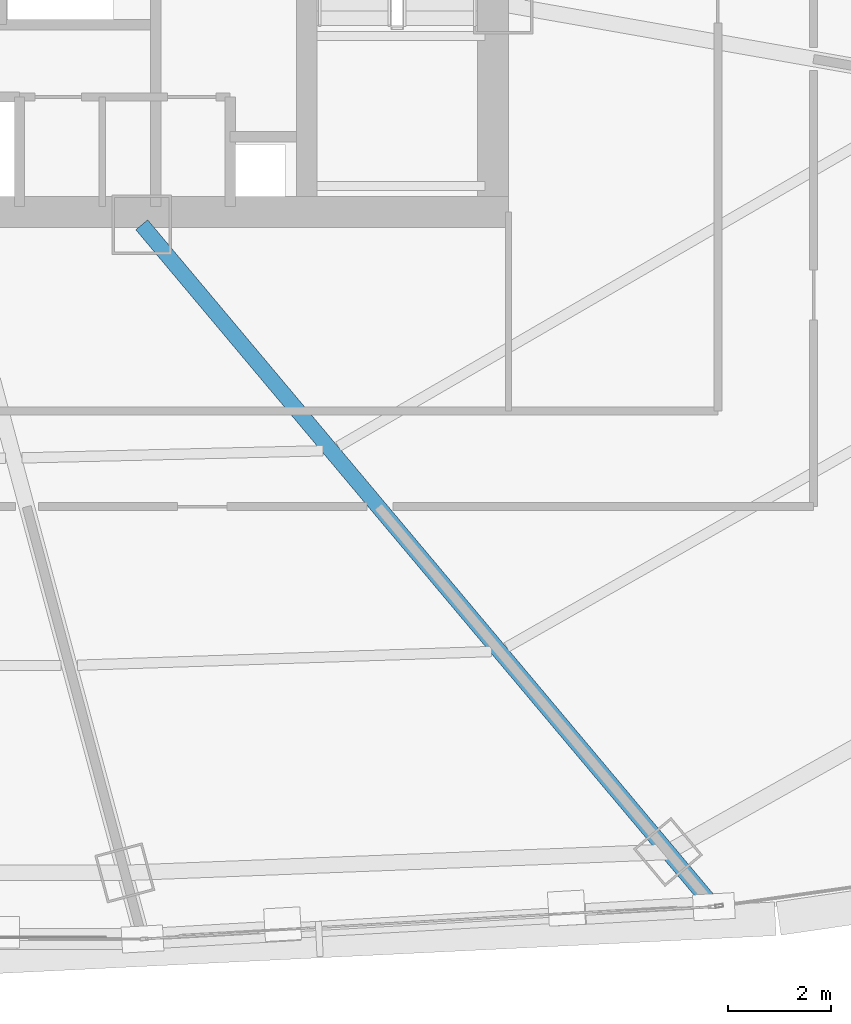
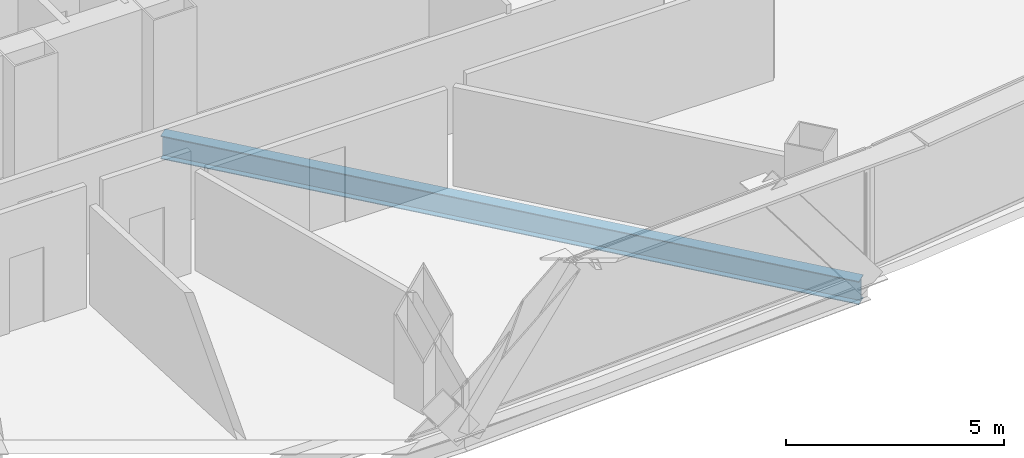
# One storey, part 15 of 40: 1 beam.
"""IFC4 building model written with IfcOpenShell, lengths in metres."""

import ifcopenshell
import ifcopenshell.guid

model = None  # the IFC model being written
_history = None  # IfcOwnerHistory: only IFC2X3 demands one
_inside = {}  # id of a spatial element -> (the spatial element, [elements in it])
_under = {}  # id of a project, library or spatial element -> (it, [spatial elements below it])
_declared = {}  # id of a project -> (the project, [libraries it declares])
_typed = {}  # id of a type object -> (the type object, [elements of that type])
_made_of = {}  # id of a material, layer set ... -> (it, [elements and type objects made of it])


def new_model(schema):
    """Start an empty IFC model of exactly this schema.

    Asked for "IFC4X3", IfcOpenShell would pick the latest addendum, in which some entities
    have other attributes; the version numbers below select the first issue.
    IFC2X3 requires an IfcOwnerHistory on every rooted entity: one is made here for all.
    """
    global model, _history
    if schema == "IFC4X3":
        model = ifcopenshell.file(schema_version=(4, 3, 0, 0))
    else:
        model = ifcopenshell.file(schema=schema)
    _inside.clear()
    _under.clear()
    _declared.clear()
    _typed.clear()
    _made_of.clear()
    _history = None
    if model.schema == "IFC2X3":
        org = make("IfcOrganization", Name="unknown")
        user = make(
            "IfcPersonAndOrganization",
            ThePerson=make("IfcPerson", FamilyName="unknown"),
            TheOrganization=org,
        )
        app = make(
            "IfcApplication",
            ApplicationDeveloper=org,
            Version="unknown",
            ApplicationFullName="unknown",
            ApplicationIdentifier="unknown",
        )
        _history = make(
            "IfcOwnerHistory",
            OwningUser=user,
            OwningApplication=app,
            ChangeAction="ADDED",
            CreationDate=0,
        )
    return model


def make(cls, **values):
    """One entity of the class cls with the attributes given. An attribute that is None is left unset."""
    return model.create_entity(
        cls, **{name: value for name, value in values.items() if value is not None}
    )


def rooted(cls, **values):
    """An entity with a GlobalId (a new one), such as an element, a storey or a relation."""
    return make(cls, GlobalId=ifcopenshell.guid.new(), OwnerHistory=_history, **values)


def si_unit(unit_type, name, prefix=None):
    """IfcSIUnit, for example si_unit("LENGTHUNIT", "METRE", prefix="MILLI")."""
    return make("IfcSIUnit", UnitType=unit_type, Prefix=prefix, Name=name)


def assignment(units):
    """IfcUnitAssignment: the units of a project."""
    return None if units is None else make("IfcUnitAssignment", Units=units)


def point(xyz):
    """IfcCartesianPoint."""
    return None if xyz is None else make("IfcCartesianPoint", Coordinates=xyz)


def direction(xyz):
    """IfcDirection."""
    return None if xyz is None else make("IfcDirection", DirectionRatios=xyz)


def frame(location, z_axis=None, x_axis=None):
    """IfcAxis2Placement3D, a coordinate frame: its origin and axes. An axis left out is left unset."""
    return make(
        "IfcAxis2Placement3D",
        Location=point(location),
        Axis=direction(z_axis),
        RefDirection=direction(x_axis),
    )


def frame_2d(location, x_axis=None):
    """IfcAxis2Placement2D, a coordinate frame in the plane: its origin and x axis."""
    return make(
        "IfcAxis2Placement2D", Location=point(location), RefDirection=direction(x_axis)
    )


def origin():
    """The frame at (0, 0, 0) with its axes left unset."""
    return frame((0.0, 0.0, 0.0))


def origin_2d():
    """The frame at (0, 0) in the plane with its x axis left unset."""
    return frame_2d((0.0, 0.0))


def place(relative_to, where):
    """IfcLocalPlacement: puts the frame where relative to a parent placement (None: the world)."""
    return make(
        "IfcLocalPlacement", PlacementRelTo=relative_to, RelativePlacement=where
    )


def context(
    kind, dimensions, precision=None, world=None, true_north=None, identifier=None
):
    """IfcGeometricRepresentationContext, for example the 3D "Model" context."""
    return make(
        "IfcGeometricRepresentationContext",
        ContextIdentifier=identifier,
        ContextType=kind,
        CoordinateSpaceDimension=dimensions,
        Precision=precision,
        WorldCoordinateSystem=world,
        TrueNorth=true_north,
    )


def subcontext(parent, identifier, kind, view, scale=None):
    """IfcGeometricRepresentationSubContext, for example "Body" below "Model"."""
    return make(
        "IfcGeometricRepresentationSubContext",
        ContextIdentifier=identifier,
        ContextType=kind,
        ParentContext=parent,
        TargetScale=scale,
        TargetView=view,
    )


def project(units=None, contexts=None):
    """IfcProject with its units and contexts."""
    return rooted(
        "IfcProject",
        Name="project",
        RepresentationContexts=contexts,
        UnitsInContext=assignment(units),
    )


def spatial(cls, under=None, at=None, **own):
    """A site, building, storey or space (cls), placed at a placement, below another one or the project."""
    s = rooted(cls, ObjectPlacement=at, **own)
    if under is not None:
        _under.setdefault(under.id(), (under, []))[1].append(s)
    return s


def profile(cls, at=None, kind="AREA", **sizes):
    """A parametric profile (cls). Its sizes go by their IFC names, for example OverallWidth=200.0."""
    return make(cls, ProfileType=kind, Position=at, **sizes)


def i_section(**sizes):
    """IfcIShapeProfileDef."""
    return profile("IfcIShapeProfileDef", **sizes)


def extrude(swept, where, along, depth):
    """IfcExtrudedAreaSolid: the profile swept, set in the frame where, extruded along a direction by depth."""
    return make(
        "IfcExtrudedAreaSolid",
        SweptArea=swept,
        Position=where,
        ExtrudedDirection=direction(along),
        Depth=depth,
    )


def shape(context_of_items, identifier, shape_type, items):
    """IfcShapeRepresentation: the items that make up one representation, for example the "Body"."""
    return make(
        "IfcShapeRepresentation",
        ContextOfItems=context_of_items,
        RepresentationIdentifier=identifier,
        RepresentationType=shape_type,
        Items=items,
    )


def source(mapping_origin, context_of_items, identifier, shape_type, items):
    """IfcRepresentationMap: a shape defined once, which mapped items show again and again."""
    return make(
        "IfcRepresentationMap",
        MappingOrigin=mapping_origin,
        MappedRepresentation=shape(context_of_items, identifier, shape_type, items),
    )


def transform(
    local_origin,
    x_axis=None,
    y_axis=None,
    z_axis=None,
    scale=None,
    scale2=None,
    scale3=None,
    uniform=True,
):
    """IfcCartesianTransformationOperator3D, or its non-uniform kind. x_axis, y_axis, z_axis: its Axis1, 2, 3."""
    if uniform:
        return make(
            "IfcCartesianTransformationOperator3D",
            Axis1=direction(x_axis),
            Axis2=direction(y_axis),
            LocalOrigin=point(local_origin),
            Scale=scale,
            Axis3=direction(z_axis),
        )
    return make(
        "IfcCartesianTransformationOperator3DnonUniform",
        Axis1=direction(x_axis),
        Axis2=direction(y_axis),
        LocalOrigin=point(local_origin),
        Scale=scale,
        Axis3=direction(z_axis),
        Scale2=scale2,
        Scale3=scale3,
    )


def mapped(mapping_source, mapping_target):
    """IfcMappedItem: shows the shape of a source again, moved by a transform."""
    return make(
        "IfcMappedItem", MappingSource=mapping_source, MappingTarget=mapping_target
    )


def material(Name=None, Category=None):
    """IfcMaterial."""
    return make("IfcMaterial", Name=Name, Category=Category)


def material_profile(
    of_material, cross_section, Name=None, Category=None, Priority=None
):
    """IfcMaterialProfile: a cross section and its material."""
    return make(
        "IfcMaterialProfile",
        Name=Name,
        Material=of_material,
        Profile=cross_section,
        Priority=Priority,
        Category=Category,
    )


def profile_set(profiles, Name=None, composite=None):
    """IfcMaterialProfileSet."""
    return make(
        "IfcMaterialProfileSet",
        Name=Name,
        MaterialProfiles=profiles,
        CompositeProfile=composite,
    )


def made_of(thing, what):
    """Note that an element or type object is made of a material, layer set ...; save() writes the relation."""
    if what is not None:
        _made_of.setdefault(what.id(), (what, []))[1].append(thing)
    return thing


def type_object(cls, material=None, **own):
    """A type object (cls), such as IfcWallType, which elements share."""
    return made_of(rooted(cls, **own), material)


def element(
    cls,
    number,
    at=None,
    inside=None,
    cuts=None,
    type_object=None,
    material=None,
    context=None,
    identifier="Body",
    shape_type=None,
    held_by="IfcProductDefinitionShape",
    body=None,
    shapes=None,
    **own,
):
    """One element of the class cls, such as IfcWall. Its Tag is "e" and its number.

    at: its placement. inside: the storey or other place that contains it. cuts: it is an
    opening in that element (IfcRelVoidsElement). A single representation is given by context,
    identifier, shape_type and body (its items); several are given by shapes. held_by: the class
    of the entity that holds the representations. save() writes the other relations.
    """
    e = rooted(cls, Tag="e%d" % number, ObjectPlacement=at, **own)
    if body is not None:
        shapes = [shape(context, identifier, shape_type, body)]
    if shapes is not None:
        e.Representation = make(held_by, Representations=shapes)
    if inside is not None:
        _inside.setdefault(inside.id(), (inside, []))[1].append(e)
    if cuts is not None:
        rooted(
            "IfcRelVoidsElement", RelatingBuildingElement=cuts, RelatedOpeningElement=e
        )
    if type_object is not None:
        _typed.setdefault(type_object.id(), (type_object, []))[1].append(e)
    return made_of(e, material)


def aggregate(whole, parts):
    """IfcRelAggregates: a whole, such as a stair, and the parts it consists of."""
    return rooted("IfcRelAggregates", RelatingObject=whole, RelatedObjects=parts)


def save(model, path):
    """Write the relations noted so far, then the file.

    IfcRelAggregates (storeys below a building ...), IfcRelContainedInSpatialStructure (elements
    in a storey), IfcRelDefinesByType, IfcRelAssociatesMaterial and IfcRelDeclares: one each for
    every whole, place, type object, material and project.
    """
    for whole, parts in _under.values():
        aggregate(whole, parts)
    for where, things in _inside.values():
        rooted(
            "IfcRelContainedInSpatialStructure",
            RelatedElements=things,
            RelatingStructure=where,
        )
    for kind, things in _typed.values():
        rooted("IfcRelDefinesByType", RelatedObjects=things, RelatingType=kind)
    for what, things in _made_of.values():
        rooted("IfcRelAssociatesMaterial", RelatedObjects=things, RelatingMaterial=what)
    for by, libraries in _declared.values():
        rooted("IfcRelDeclares", RelatingContext=by, RelatedDefinitions=libraries)
    model.write(path)


model = new_model("IFC4")

# Units and contexts
model_context = context("Model", 3, precision=1e-05, world=origin(), true_north=direction((0.0, 1.0)))
body_context = subcontext(model_context, "Body", "Model", "MODEL_VIEW")
ifc_project = project(units=[si_unit("LENGTHUNIT", "METRE"), si_unit("AREAUNIT", "SQUARE_METRE"), si_unit("VOLUMEUNIT", "CUBIC_METRE"), si_unit("PLANEANGLEUNIT", "RADIAN"), si_unit("MASSUNIT", "GRAM", prefix="KILO"), si_unit("THERMODYNAMICTEMPERATUREUNIT", "KELVIN"), si_unit("POWERUNIT", "WATT")], contexts=[model_context])

# Site, building, storey
site_placement = place(None, origin())
site = spatial("IfcSite", under=ifc_project, at=site_placement, CompositionType="ELEMENT")
building_placement = place(site_placement, origin())
building = spatial("IfcBuilding", under=site, at=building_placement, Name="Yunzhuo Pagoda Commons", CompositionType="ELEMENT")
storey_placement = place(building_placement, frame((0.0, 0.0, 159.27001953125)))
storey = spatial("IfcBuildingStorey", under=building, at=storey_placement, Name="L40", CompositionType="ELEMENT", Elevation=159.27001953125)

# Beam
ifc_material = material(Name="Structural steel Q355B", Category="steel")
ifc_material_profile = material_profile(ifc_material, i_section(OverallWidth=0.300048828125, OverallDepth=0.64990234375, WebThickness=0.012939453125, FlangeThickness=0.02197265625, at=origin_2d()), Name="Structural steel Q355B")
ifc_profile_set = profile_set([ifc_material_profile], Name="Structural steel Q355B")
beam_type = type_object("IfcBeamType", Name="B-RG2 Beam HN 650x300x13x22", PredefinedType="BEAM", material=ifc_profile_set)
shared_shape = source(origin(), body_context, "Body", "SweptSolid", [
    extrude(i_section(OverallWidth=0.300048828125, OverallDepth=0.64990234375, WebThickness=0.012939453125, FlangeThickness=0.02197265625, at=origin_2d()), origin(), (0.0, 0.0, 1.0), 17.05224609375),
])
beam_placement = place(storey_placement, frame((64.373291015625, 14.187255859375, -0.5849609375), z_axis=(-0.642795794804, 0.766037574916, 0.0), x_axis=(-0.766037574916, -0.642795794804, 0.0)))
element("IfcBeam", 1, at=beam_placement, inside=storey, type_object=beam_type, Name="L40 radial floor girder F1C4", PredefinedType="BEAM", context=body_context, shape_type="MappedRepresentation", body=[
    mapped(shared_shape, transform((0.0, 0.0, 0.0), scale=1.0)),
])

save(model, "model.ifc")
